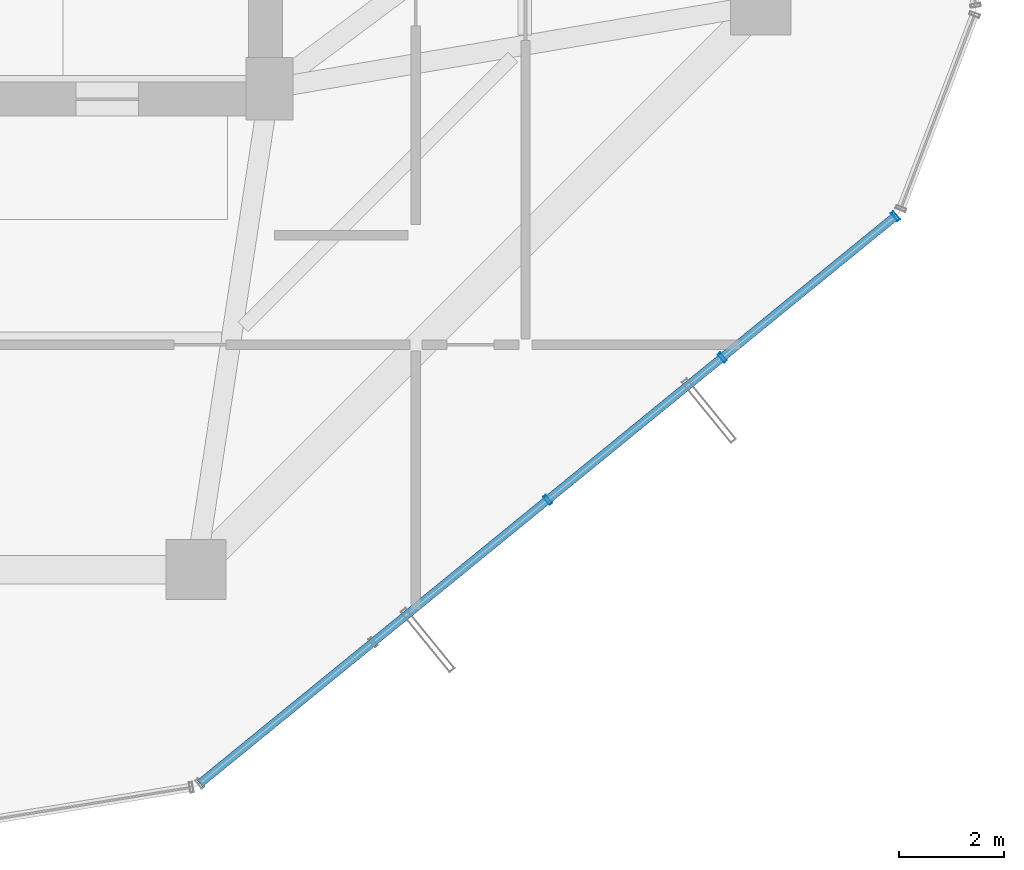
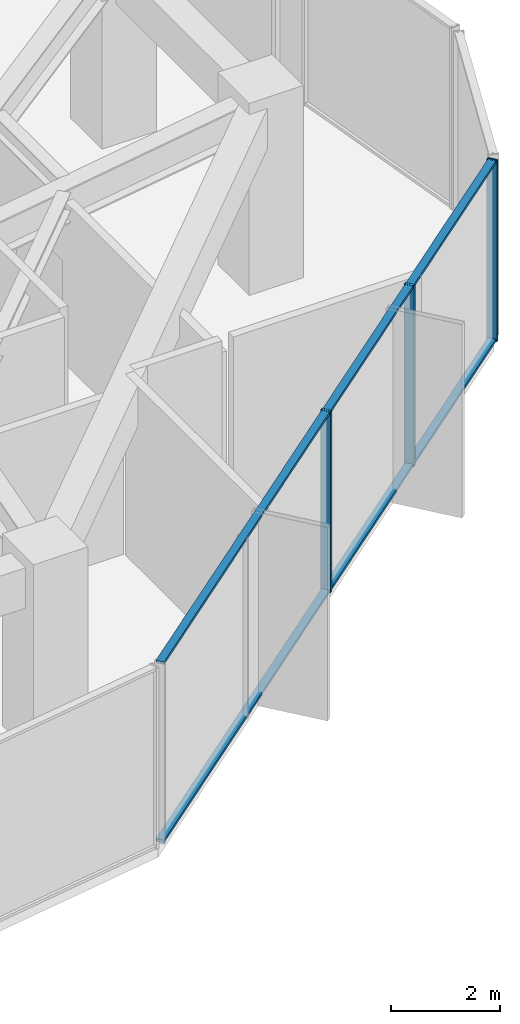
# One storey, part 12 of 26: 5 members, 1 element without a shape of its own.
"""IFC4 building model written with IfcOpenShell, lengths in metres."""

import ifcopenshell
import ifcopenshell.guid

model = None  # the IFC model being written
_history = None  # IfcOwnerHistory: only IFC2X3 demands one
_inside = {}  # id of a spatial element -> (the spatial element, [elements in it])
_under = {}  # id of a project, library or spatial element -> (it, [spatial elements below it])
_declared = {}  # id of a project -> (the project, [libraries it declares])
_typed = {}  # id of a type object -> (the type object, [elements of that type])
_made_of = {}  # id of a material, layer set ... -> (it, [elements and type objects made of it])


def new_model(schema):
    """Start an empty IFC model of exactly this schema.

    Asked for "IFC4X3", IfcOpenShell would pick the latest addendum, in which some entities
    have other attributes; the version numbers below select the first issue.
    IFC2X3 requires an IfcOwnerHistory on every rooted entity: one is made here for all.
    """
    global model, _history
    if schema == "IFC4X3":
        model = ifcopenshell.file(schema_version=(4, 3, 0, 0))
    else:
        model = ifcopenshell.file(schema=schema)
    _inside.clear()
    _under.clear()
    _declared.clear()
    _typed.clear()
    _made_of.clear()
    _history = None
    if model.schema == "IFC2X3":
        org = make("IfcOrganization", Name="unknown")
        user = make(
            "IfcPersonAndOrganization",
            ThePerson=make("IfcPerson", FamilyName="unknown"),
            TheOrganization=org,
        )
        app = make(
            "IfcApplication",
            ApplicationDeveloper=org,
            Version="unknown",
            ApplicationFullName="unknown",
            ApplicationIdentifier="unknown",
        )
        _history = make(
            "IfcOwnerHistory",
            OwningUser=user,
            OwningApplication=app,
            ChangeAction="ADDED",
            CreationDate=0,
        )
    return model


def make(cls, **values):
    """One entity of the class cls with the attributes given. An attribute that is None is left unset."""
    return model.create_entity(
        cls, **{name: value for name, value in values.items() if value is not None}
    )


def rooted(cls, **values):
    """An entity with a GlobalId (a new one), such as an element, a storey or a relation."""
    return make(cls, GlobalId=ifcopenshell.guid.new(), OwnerHistory=_history, **values)


def si_unit(unit_type, name, prefix=None):
    """IfcSIUnit, for example si_unit("LENGTHUNIT", "METRE", prefix="MILLI")."""
    return make("IfcSIUnit", UnitType=unit_type, Prefix=prefix, Name=name)


def assignment(units):
    """IfcUnitAssignment: the units of a project."""
    return None if units is None else make("IfcUnitAssignment", Units=units)


def point(xyz):
    """IfcCartesianPoint."""
    return None if xyz is None else make("IfcCartesianPoint", Coordinates=xyz)


def direction(xyz):
    """IfcDirection."""
    return None if xyz is None else make("IfcDirection", DirectionRatios=xyz)


def frame(location, z_axis=None, x_axis=None):
    """IfcAxis2Placement3D, a coordinate frame: its origin and axes. An axis left out is left unset."""
    return make(
        "IfcAxis2Placement3D",
        Location=point(location),
        Axis=direction(z_axis),
        RefDirection=direction(x_axis),
    )


def frame_2d(location, x_axis=None):
    """IfcAxis2Placement2D, a coordinate frame in the plane: its origin and x axis."""
    return make(
        "IfcAxis2Placement2D", Location=point(location), RefDirection=direction(x_axis)
    )


def origin():
    """The frame at (0, 0, 0) with its axes left unset."""
    return frame((0.0, 0.0, 0.0))


def origin_2d():
    """The frame at (0, 0) in the plane with its x axis left unset."""
    return frame_2d((0.0, 0.0))


def place(relative_to, where):
    """IfcLocalPlacement: puts the frame where relative to a parent placement (None: the world)."""
    return make(
        "IfcLocalPlacement", PlacementRelTo=relative_to, RelativePlacement=where
    )


def context(
    kind, dimensions, precision=None, world=None, true_north=None, identifier=None
):
    """IfcGeometricRepresentationContext, for example the 3D "Model" context."""
    return make(
        "IfcGeometricRepresentationContext",
        ContextIdentifier=identifier,
        ContextType=kind,
        CoordinateSpaceDimension=dimensions,
        Precision=precision,
        WorldCoordinateSystem=world,
        TrueNorth=true_north,
    )


def subcontext(parent, identifier, kind, view, scale=None):
    """IfcGeometricRepresentationSubContext, for example "Body" below "Model"."""
    return make(
        "IfcGeometricRepresentationSubContext",
        ContextIdentifier=identifier,
        ContextType=kind,
        ParentContext=parent,
        TargetScale=scale,
        TargetView=view,
    )


def project(units=None, contexts=None):
    """IfcProject with its units and contexts."""
    return rooted(
        "IfcProject",
        Name="project",
        RepresentationContexts=contexts,
        UnitsInContext=assignment(units),
    )


def spatial(cls, under=None, at=None, **own):
    """A site, building, storey or space (cls), placed at a placement, below another one or the project."""
    s = rooted(cls, ObjectPlacement=at, **own)
    if under is not None:
        _under.setdefault(under.id(), (under, []))[1].append(s)
    return s


def profile(cls, at=None, kind="AREA", **sizes):
    """A parametric profile (cls). Its sizes go by their IFC names, for example OverallWidth=200.0."""
    return make(cls, ProfileType=kind, Position=at, **sizes)


def hollow_rectangle(**sizes):
    """IfcRectangleHollowProfileDef."""
    return profile("IfcRectangleHollowProfileDef", **sizes)


def extrude(swept, where, along, depth):
    """IfcExtrudedAreaSolid: the profile swept, set in the frame where, extruded along a direction by depth."""
    return make(
        "IfcExtrudedAreaSolid",
        SweptArea=swept,
        Position=where,
        ExtrudedDirection=direction(along),
        Depth=depth,
    )


def shape(context_of_items, identifier, shape_type, items):
    """IfcShapeRepresentation: the items that make up one representation, for example the "Body"."""
    return make(
        "IfcShapeRepresentation",
        ContextOfItems=context_of_items,
        RepresentationIdentifier=identifier,
        RepresentationType=shape_type,
        Items=items,
    )


def source(mapping_origin, context_of_items, identifier, shape_type, items):
    """IfcRepresentationMap: a shape defined once, which mapped items show again and again."""
    return make(
        "IfcRepresentationMap",
        MappingOrigin=mapping_origin,
        MappedRepresentation=shape(context_of_items, identifier, shape_type, items),
    )


def transform(
    local_origin,
    x_axis=None,
    y_axis=None,
    z_axis=None,
    scale=None,
    scale2=None,
    scale3=None,
    uniform=True,
):
    """IfcCartesianTransformationOperator3D, or its non-uniform kind. x_axis, y_axis, z_axis: its Axis1, 2, 3."""
    if uniform:
        return make(
            "IfcCartesianTransformationOperator3D",
            Axis1=direction(x_axis),
            Axis2=direction(y_axis),
            LocalOrigin=point(local_origin),
            Scale=scale,
            Axis3=direction(z_axis),
        )
    return make(
        "IfcCartesianTransformationOperator3DnonUniform",
        Axis1=direction(x_axis),
        Axis2=direction(y_axis),
        LocalOrigin=point(local_origin),
        Scale=scale,
        Axis3=direction(z_axis),
        Scale2=scale2,
        Scale3=scale3,
    )


def mapped(mapping_source, mapping_target):
    """IfcMappedItem: shows the shape of a source again, moved by a transform."""
    return make(
        "IfcMappedItem", MappingSource=mapping_source, MappingTarget=mapping_target
    )


def material(Name=None, Category=None):
    """IfcMaterial."""
    return make("IfcMaterial", Name=Name, Category=Category)


def layer(
    of_material, thickness, ventilated=None, Name=None, Category=None, Priority=None
):
    """IfcMaterialLayer: one layer of a wall or slab, of a material (None: an air gap)."""
    return make(
        "IfcMaterialLayer",
        Material=of_material,
        LayerThickness=thickness,
        IsVentilated=ventilated,
        Name=Name,
        Category=Category,
        Priority=Priority,
    )


def layer_set(layers, Name=None):
    """IfcMaterialLayerSet."""
    return make("IfcMaterialLayerSet", MaterialLayers=layers, LayerSetName=Name)


def material_profile(
    of_material, cross_section, Name=None, Category=None, Priority=None
):
    """IfcMaterialProfile: a cross section and its material."""
    return make(
        "IfcMaterialProfile",
        Name=Name,
        Material=of_material,
        Profile=cross_section,
        Priority=Priority,
        Category=Category,
    )


def profile_set(profiles, Name=None, composite=None):
    """IfcMaterialProfileSet."""
    return make(
        "IfcMaterialProfileSet",
        Name=Name,
        MaterialProfiles=profiles,
        CompositeProfile=composite,
    )


def made_of(thing, what):
    """Note that an element or type object is made of a material, layer set ...; save() writes the relation."""
    if what is not None:
        _made_of.setdefault(what.id(), (what, []))[1].append(thing)
    return thing


def type_object(cls, material=None, **own):
    """A type object (cls), such as IfcWallType, which elements share."""
    return made_of(rooted(cls, **own), material)


def element(
    cls,
    number,
    at=None,
    inside=None,
    cuts=None,
    type_object=None,
    material=None,
    context=None,
    identifier="Body",
    shape_type=None,
    held_by="IfcProductDefinitionShape",
    body=None,
    shapes=None,
    **own,
):
    """One element of the class cls, such as IfcWall. Its Tag is "e" and its number.

    at: its placement. inside: the storey or other place that contains it. cuts: it is an
    opening in that element (IfcRelVoidsElement). A single representation is given by context,
    identifier, shape_type and body (its items); several are given by shapes. held_by: the class
    of the entity that holds the representations. save() writes the other relations.
    """
    e = rooted(cls, Tag="e%d" % number, ObjectPlacement=at, **own)
    if body is not None:
        shapes = [shape(context, identifier, shape_type, body)]
    if shapes is not None:
        e.Representation = make(held_by, Representations=shapes)
    if inside is not None:
        _inside.setdefault(inside.id(), (inside, []))[1].append(e)
    if cuts is not None:
        rooted(
            "IfcRelVoidsElement", RelatingBuildingElement=cuts, RelatedOpeningElement=e
        )
    if type_object is not None:
        _typed.setdefault(type_object.id(), (type_object, []))[1].append(e)
    return made_of(e, material)


def aggregate(whole, parts):
    """IfcRelAggregates: a whole, such as a stair, and the parts it consists of."""
    return rooted("IfcRelAggregates", RelatingObject=whole, RelatedObjects=parts)


def save(model, path):
    """Write the relations noted so far, then the file.

    IfcRelAggregates (storeys below a building ...), IfcRelContainedInSpatialStructure (elements
    in a storey), IfcRelDefinesByType, IfcRelAssociatesMaterial and IfcRelDeclares: one each for
    every whole, place, type object, material and project.
    """
    for whole, parts in _under.values():
        aggregate(whole, parts)
    for where, things in _inside.values():
        rooted(
            "IfcRelContainedInSpatialStructure",
            RelatedElements=things,
            RelatingStructure=where,
        )
    for kind, things in _typed.values():
        rooted("IfcRelDefinesByType", RelatedObjects=things, RelatingType=kind)
    for what, things in _made_of.values():
        rooted("IfcRelAssociatesMaterial", RelatedObjects=things, RelatingMaterial=what)
    for by, libraries in _declared.values():
        rooted("IfcRelDeclares", RelatingContext=by, RelatedDefinitions=libraries)
    model.write(path)


model = new_model("IFC4")

# Units and contexts
model_context = context("Model", 3, precision=1e-05, world=origin(), true_north=direction((0.0, 1.0)))
body_context = subcontext(model_context, "Body", "Model", "MODEL_VIEW")
ifc_project = project(units=[si_unit("LENGTHUNIT", "METRE"), si_unit("AREAUNIT", "SQUARE_METRE"), si_unit("VOLUMEUNIT", "CUBIC_METRE"), si_unit("PLANEANGLEUNIT", "RADIAN"), si_unit("MASSUNIT", "GRAM", prefix="KILO")], contexts=[model_context])

# Site, building, storey
site_placement = place(None, origin())
site = spatial("IfcSite", under=ifc_project, at=site_placement, CompositionType="ELEMENT")
building_placement = place(site_placement, origin())
building = spatial("IfcBuilding", under=site, at=building_placement, Name="Veraguas Prism Commons", CompositionType="ELEMENT")
storey_placement = place(building_placement, frame((0.0, 0.0, 158.75)))
storey = spatial("IfcBuildingStorey", under=building, at=storey_placement, Name="L45", CompositionType="ELEMENT", Elevation=158.75)

# Curtain wall, members
ifc_material = material(Name="Anodised aluminium EN AW-6063 T6", Category="aluminium")
ifc_layer = layer(ifc_material, 0.199951171875, Name="Sky Lobby and Pool Acoustic Curtain Wall", Category="aluminium")
ifc_layer_set = layer_set([ifc_layer], Name="Anodised aluminium EN AW-6063 T6")
curtain_wall_type = type_object("IfcCurtainWallType", Name="Sky Lobby and Pool Acoustic Curtain Wall", PredefinedType="NOTDEFINED", material=ifc_layer_set)
curtain_wall_placement = place(storey_placement, origin())
curtain_wall = element("IfcCurtainWall", 1, at=curtain_wall_placement, inside=storey, type_object=curtain_wall_type, Name="Tower Facade Curtain Wall L45-F5", PredefinedType="NOTDEFINED")
ifc_material_profile_1 = material_profile(ifc_material, hollow_rectangle(XDim=0.06494140625, YDim=0.199951171875, WallThickness=0.00390625, at=origin_2d()), Name="AL65X200X4")
ifc_profile_set_1 = profile_set([ifc_material_profile_1], Name="Anodised aluminium EN AW-6063 T6")
member_type_1 = type_object("IfcMemberType", Name="Curtain Wall Mullion Heavy AL 65x200x4", PredefinedType="MULLION", material=ifc_profile_set_1)
shared_shape_1 = source(origin(), body_context, "Body", "SweptSolid", [
    extrude(hollow_rectangle(XDim=0.06494140625, YDim=0.199951171875, WallThickness=0.00390625, at=origin_2d()), origin(), (0.0, 0.0, 1.0), 4.050048828125),
])
member_1_placement = place(storey_placement, frame((36.123779296875, 9.134765625, 0.0), z_axis=(0.0, 0.0, 1.0), x_axis=(0.774943385604, 0.632030655197, 0.0)))
member_1 = element("IfcMember", 2, at=member_1_placement, type_object=member_type_1, Name="CW-SKY Mullion 3", PredefinedType="MULLION", context=body_context, shape_type="MappedRepresentation", body=[
    mapped(shared_shape_1, transform((0.0, 0.0, 0.0), scale=1.0)),
])
member_2_placement = place(storey_placement, frame((39.462890625, 11.85791015625, 0.0), z_axis=(0.0, 0.0, 1.0), x_axis=(0.774943385604, 0.632030655197, 0.0)))
member_2 = element("IfcMember", 3, at=member_2_placement, type_object=member_type_1, Name="CW-SKY Mullion 4", PredefinedType="MULLION", context=body_context, shape_type="MappedRepresentation", body=[
    mapped(shared_shape_1, transform((0.0, 0.0, 0.0), scale=1.0)),
])
member_3_placement = place(storey_placement, frame((42.776611328125, 14.560546875, 0.0), z_axis=(0.0, 0.0, 1.0), x_axis=(0.774943385604, 0.632030655197, 0.0)))
member_3 = element("IfcMember", 4, at=member_3_placement, type_object=member_type_1, Name="CW-SKY Mullion 5", PredefinedType="MULLION", context=body_context, shape_type="MappedRepresentation", body=[
    mapped(shared_shape_1, transform((0.0, 0.0, 0.0), scale=1.0)),
])
ifc_material_profile_2 = material_profile(ifc_material, hollow_rectangle(XDim=0.06005859375, YDim=0.159912109375, WallThickness=0.0029296875, at=origin_2d()), Name="AL60X160X3")
ifc_profile_set_2 = profile_set([ifc_material_profile_2], Name="Anodised aluminium EN AW-6063 T6")
member_type_2 = type_object("IfcMemberType", Name="Curtain Wall Transom Heavy AL 60x160x3", PredefinedType="USERDEFINED", material=ifc_profile_set_2)
shared_shape_2 = source(origin(), body_context, "Body", "SweptSolid", [
    extrude(hollow_rectangle(XDim=0.06005859375, YDim=0.159912109375, WallThickness=0.0029296875, at=origin_2d()), origin(), (0.0, 0.0, 1.0), 17.169677734375),
])
member_4_placement = place(storey_placement, frame((29.47119140625, 3.708740234375, 0.030029296875), z_axis=(0.774939612203, 0.632035281799, 0.0), x_axis=(0.0, 0.0, 1.0)))
member_4 = element("IfcMember", 5, at=member_4_placement, type_object=member_type_2, Name="CW-SKY Transom 1", ObjectType="TRANSOM", PredefinedType="USERDEFINED", context=body_context, shape_type="MappedRepresentation", body=[
    mapped(shared_shape_2, transform((0.0, 0.0, 0.0), scale=1.0)),
])
member_5_placement = place(storey_placement, frame((29.47119140625, 3.708740234375, 4.02001953125), z_axis=(0.774939612203, 0.632035281799, 0.0), x_axis=(0.0, 0.0, 1.0)))
member_5 = element("IfcMember", 6, at=member_5_placement, type_object=member_type_2, Name="CW-SKY Transom 2", ObjectType="TRANSOM", PredefinedType="USERDEFINED", context=body_context, shape_type="MappedRepresentation", body=[
    mapped(shared_shape_2, transform((0.0, 0.0, 0.0), scale=1.0)),
])
aggregate(curtain_wall, [member_1, member_2, member_3, member_4, member_5])

save(model, "model.ifc")
